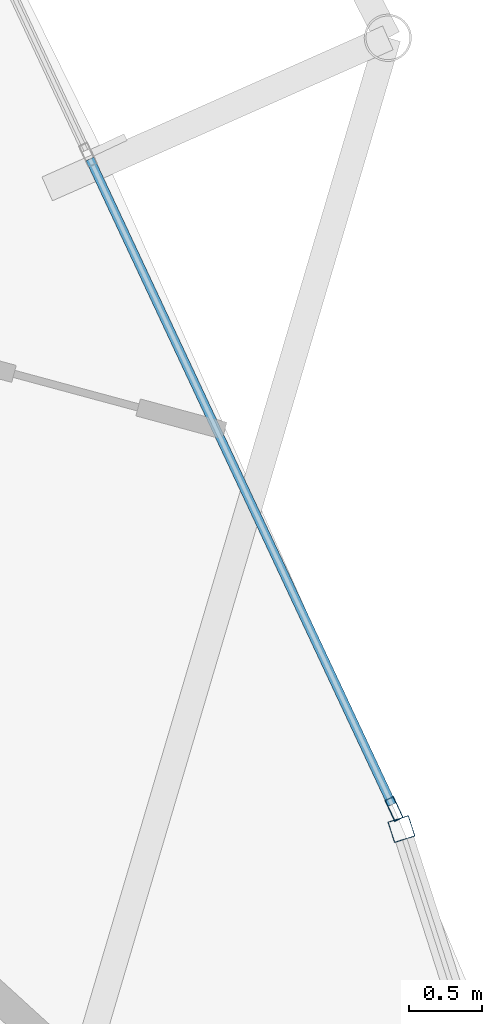
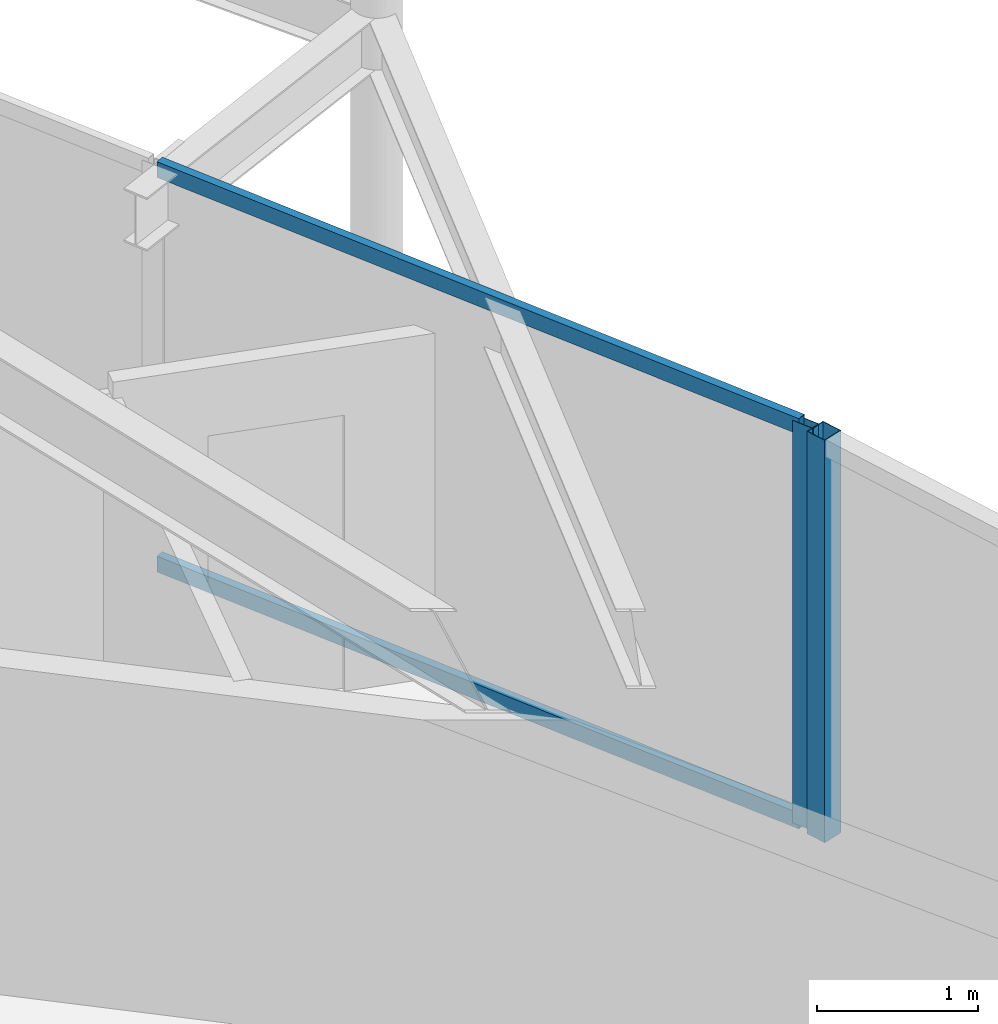
# One storey, part 17 of 30: 4 members, 2 elements without a shape of their own.
"""IFC4 building model written with IfcOpenShell, lengths in metres."""

from ifc_helpers import new_model, si_unit, direction, frame, origin, origin_2d, place, context, subcontext, project, spatial, hollow_rectangle, extrude, material, layer, layer_set, material_profile, profile_set, type_object, element, aggregate, save


model = new_model("IFC4")

# Units and contexts
model_context = context("Model", 3, precision=1e-05, world=origin(), true_north=direction((0.0, 1.0)))
body_context = subcontext(model_context, "Body", "Model", "MODEL_VIEW")
ifc_project = project(units=[si_unit("LENGTHUNIT", "METRE"), si_unit("AREAUNIT", "SQUARE_METRE"), si_unit("VOLUMEUNIT", "CUBIC_METRE"), si_unit("PLANEANGLEUNIT", "RADIAN"), si_unit("MASSUNIT", "GRAM", prefix="KILO")], contexts=[model_context])

# Site, building, storey
site_placement = place(None, origin())
site = spatial("IfcSite", under=ifc_project, at=site_placement, CompositionType="ELEMENT")
building_placement = place(site_placement, origin())
building = spatial("IfcBuilding", under=site, at=building_placement, Name="Orvanel Arch Residences", CompositionType="ELEMENT")
storey_placement = place(building_placement, frame((0.0, 0.0, 229.39990234375)))
storey = spatial("IfcBuildingStorey", under=building, at=storey_placement, Name="L65", CompositionType="ELEMENT", Elevation=229.39990234375)

# Curtain wall, member
ifc_material = material(Name="Bronze-anodised aluminium AA6063-T6", Category="aluminium")
ifc_layer_1 = layer(ifc_material, 0.18994140625)
ifc_layer_set_1 = layer_set([ifc_layer_1], Name="Bronze-anodised aluminium AA6063-T6")
curtain_wall_type_1 = type_object("IfcCurtainWallType", Name="CW5-CRN-SYS", PredefinedType="NOTDEFINED", material=ifc_layer_set_1)
curtain_wall_1_placement = place(storey_placement, origin())
curtain_wall_1 = element("IfcCurtainWall", 1, at=curtain_wall_1_placement, inside=storey, type_object=curtain_wall_type_1, Name="L65 CW5-CRN-SYS Unitised Curtain Wall", PredefinedType="NOTDEFINED")
ifc_material_profile_1 = material_profile(ifc_material, hollow_rectangle(XDim=0.14990234375, YDim=0.14990234375, WallThickness=0.0048828125, at=origin_2d()), Name="ALU150x150x5")
ifc_profile_set_1 = profile_set([ifc_material_profile_1], Name="Bronze-anodised aluminium AA6063-T6")
member_type_1 = type_object("IfcMemberType", Name="MUL-150x150", PredefinedType="MULLION", material=ifc_profile_set_1)
member_1_placement = place(storey_placement, frame((53.86083984375, 15.169677734375, 0.0), z_axis=(0.0, 0.0, 1.0), x_axis=(-0.952168522204, -0.305573404151, 0.0)))
member_1 = element("IfcMember", 2, at=member_1_placement, type_object=member_type_1, Name="CW-S5 mullion 2", PredefinedType="MULLION", context=body_context, shape_type="SweptSolid", body=[
    extrude(hollow_rectangle(XDim=0.14990234375, YDim=0.14990234375, WallThickness=0.0048828125, at=origin_2d()), origin(), (0.0, 0.0, 1.0), 3.06005859375),
])
aggregate(curtain_wall_1, [member_1])

# Curtain wall, members
ifc_layer_2 = layer(ifc_material, 0.175048828125)
ifc_layer_set_2 = layer_set([ifc_layer_2], Name="Bronze-anodised aluminium AA6063-T6")
curtain_wall_type_2 = type_object("IfcCurtainWallType", Name="CW4-HI-SYS", PredefinedType="NOTDEFINED", material=ifc_layer_set_2)
curtain_wall_2_placement = place(storey_placement, origin())
curtain_wall_2 = element("IfcCurtainWall", 3, at=curtain_wall_2_placement, inside=storey, type_object=curtain_wall_type_2, Name="L65 CW4-HI-SYS Unitised Curtain Wall", PredefinedType="NOTDEFINED")
ifc_material_profile_2 = material_profile(ifc_material, hollow_rectangle(XDim=0.06494140625, YDim=0.159912109375, WallThickness=0.00390625, at=origin_2d()), Name="ALU160x65x4")
ifc_profile_set_2 = profile_set([ifc_material_profile_2], Name="Bronze-anodised aluminium AA6063-T6")
member_type_2 = type_object("IfcMemberType", Name="MUL-160x65", PredefinedType="MULLION", material=ifc_profile_set_2)
member_2_placement = place(storey_placement, frame((53.810302734375, 15.307373046875, 0.0), z_axis=(0.0, 0.0, 1.0), x_axis=(-0.905705004304, -0.423908533978, 0.0)))
member_2 = element("IfcMember", 4, at=member_2_placement, type_object=member_type_2, Name="CW-S4 mullion 1", PredefinedType="MULLION", context=body_context, shape_type="SweptSolid", body=[
    extrude(hollow_rectangle(XDim=0.06494140625, YDim=0.159912109375, WallThickness=0.00390625, at=origin_2d()), origin(), (0.0, 0.0, 1.0), 3.06005859375),
])
ifc_material_profile_3 = material_profile(ifc_material, hollow_rectangle(XDim=0.06005859375, YDim=0.1201171875, WallThickness=0.00341796875, at=origin_2d()), Name="ALU120x60x3.5")
ifc_profile_set_3 = profile_set([ifc_material_profile_3], Name="Bronze-anodised aluminium AA6063-T6")
member_type_3 = type_object("IfcMemberType", Name="TRN-120x60", PredefinedType="USERDEFINED", material=ifc_profile_set_3)
member_3_placement = place(storey_placement, frame((53.79638671875, 15.3369140625, 0.030029296875), z_axis=(-0.423899048381, 0.905709443907, 0.0), x_axis=(-0.905709443907, -0.423899048381, 0.0)))
member_3 = element("IfcMember", 5, at=member_3_placement, type_object=member_type_3, Name="CW-S4 transom 1.1", ObjectType="TRANSOM", PredefinedType="USERDEFINED", context=body_context, shape_type="SweptSolid", body=[
    extrude(hollow_rectangle(XDim=0.06005859375, YDim=0.1201171875, WallThickness=0.00341796875, at=origin_2d()), origin(), (0.0, 0.0, 1.0), 4.877685546875),
])
member_4_placement = place(storey_placement, frame((53.79638671875, 15.3369140625, 3.030029296875), z_axis=(-0.423899048381, 0.905709443907, 0.0), x_axis=(-0.905709443907, -0.423899048381, 0.0)))
member_4 = element("IfcMember", 6, at=member_4_placement, type_object=member_type_3, Name="CW-S4 transom 1.2", ObjectType="TRANSOM", PredefinedType="USERDEFINED", context=body_context, shape_type="SweptSolid", body=[
    extrude(hollow_rectangle(XDim=0.06005859375, YDim=0.1201171875, WallThickness=0.00341796875, at=origin_2d()), origin(), (0.0, 0.0, 1.0), 4.877685546875),
])
aggregate(curtain_wall_2, [member_2, member_3, member_4])

save(model, "model.ifc")
